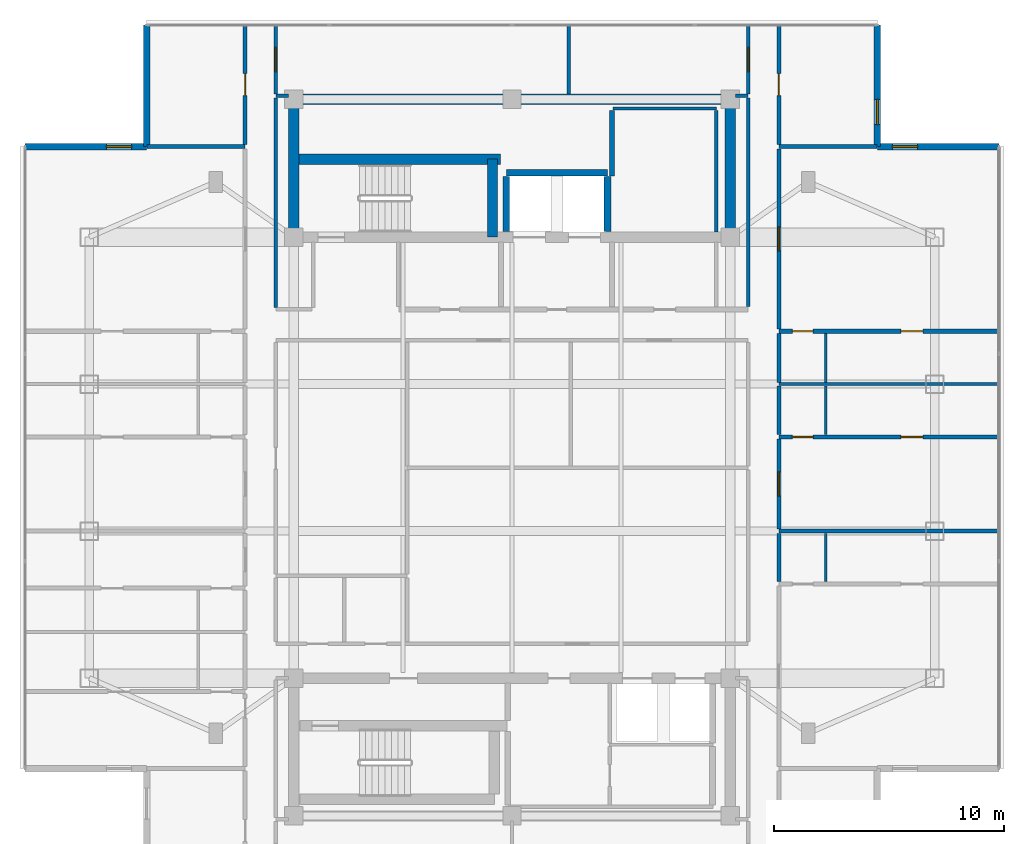
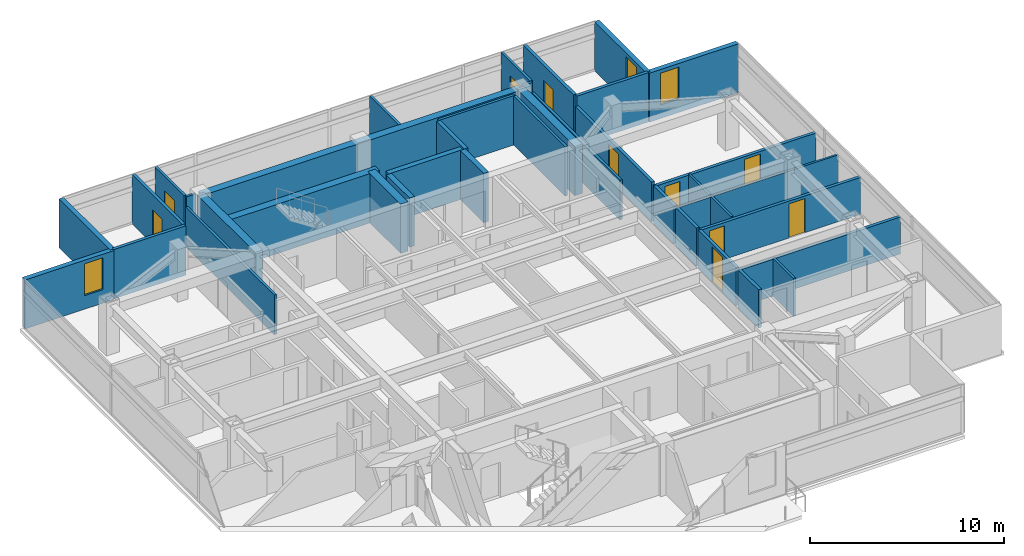
# One storey, part 10 of 14: 38 walls, 10 doors, 3 windows, 13 openings.
"""IFC4 building model written with IfcOpenShell, lengths in metres."""

from ifc_helpers import new_model, si_unit, direction, frame, frame_2d, origin, place, context, subcontext, project, spatial, rectangle, extrude, material, layer, layer_set, type_object, element, fill, save


model = new_model("IFC4")

# Units and contexts
model_context = context("Model", 3, precision=1e-05, world=origin(), true_north=direction((0.0, 1.0)))
body_context = subcontext(model_context, "Body", "Model", "MODEL_VIEW")
ifc_project = project(units=[si_unit("LENGTHUNIT", "METRE"), si_unit("AREAUNIT", "SQUARE_METRE"), si_unit("VOLUMEUNIT", "CUBIC_METRE"), si_unit("PLANEANGLEUNIT", "RADIAN"), si_unit("MASSUNIT", "GRAM", prefix="KILO")], contexts=[model_context])

# Site, building, storey
site_placement = place(None, origin())
site = spatial("IfcSite", under=ifc_project, at=site_placement, CompositionType="ELEMENT")
building_placement = place(site_placement, origin())
building = spatial("IfcBuilding", under=site, at=building_placement, Name="Mirazonda Arch Towers", CompositionType="ELEMENT")
storey_placement = place(building_placement, frame((0.0, 0.0, 232.60009765625)))
storey = spatial("IfcBuildingStorey", under=building, at=storey_placement, Name="L66", CompositionType="ELEMENT", Elevation=232.60009765625)

# Walls
ifc_material_1 = material(Name="Concrete C50/60", Category="concrete")
ifc_layer_1 = layer(ifc_material_1, 0.449951171875, Name="WALL-CORE-450")
ifc_layer_set_1 = layer_set([ifc_layer_1], Name="Concrete C50/60")
wall_type_1 = type_object("IfcWallType", Name="WALL-CORE-450", PredefinedType="SHEAR", material=ifc_layer_set_1)
wall_1_placement = place(storey_placement, frame((11.0, 43.60009765625, 0.0), z_axis=(0.0, 0.0, 1.0), x_axis=(1.0, 0.0, 0.0)))
element("IfcWall", 1, at=wall_1_placement, inside=storey, type_object=wall_type_1, Name="L66 T1N-N Core Shear Wall", PredefinedType="SHEAR", context=body_context, shape_type="SweptSolid", body=[
    extrude(rectangle(XDim=19.0, YDim=0.449951171875, at=frame_2d((9.5, 0.0))), origin(), (0.0, 0.0, 1.0), 3.099853515625),
])
for number, where, z_axis, x_axis, name in (
    (2, (11.0, 37.60009765625, 0.0), (0.0, 0.0, 1.0), (0.0, 1.0, 0.0), "L66 T1N-W Core Shear Wall"),
    (3, (30.0, 37.60009765625, 0.0), (0.0, 0.0, 1.0), (0.0, 1.0, 0.0), "L66 T1N-E Core Shear Wall"),
):
    element("IfcWall", number, at=place(storey_placement, frame(where, z_axis=z_axis, x_axis=x_axis)), inside=storey, type_object=wall_type_1, Name=name, PredefinedType="SHEAR", context=body_context, shape_type="SweptSolid", body=[
        extrude(rectangle(XDim=6.0, YDim=0.449951171875, at=frame_2d((3.0, 0.0))), origin(), (0.0, 0.0, 1.0), 3.099853515625),
    ])
wall_2_placement = place(storey_placement, frame((11.0, 40.992919921875, 0.0), z_axis=(0.0, 0.0, 1.0), x_axis=(1.0, 0.0, 0.0)))
element("IfcWall", 4, at=wall_2_placement, inside=storey, type_object=wall_type_1, Name="L66 T1N-STN Core Shear Wall", PredefinedType="SHEAR", context=body_context, shape_type="SweptSolid", body=[
    extrude(rectangle(XDim=9.0, YDim=0.449951171875, at=frame_2d((4.5, 0.0))), origin(), (0.0, 0.0, 1.0), 3.099853515625),
])
wall_3_placement = place(storey_placement, frame((19.64990234375, 37.60009765625, 0.0), z_axis=(0.0, 0.0, 1.0), x_axis=(0.0, 1.0, 0.0)))
element("IfcWall", 5, at=wall_3_placement, inside=storey, type_object=wall_type_1, Name="L66 T1N-STE Core Shear Wall", PredefinedType="SHEAR", context=body_context, shape_type="SweptSolid", body=[
    extrude(rectangle(XDim=3.392822265625, YDim=0.449951171875, at=frame_2d((1.6962890625, 0.0))), origin(), (0.0, 0.0, 1.0), 3.099853515625),
])

# Wall, opening, window
ifc_material_2 = material(Name="Precast Concrete C40/50", Category="concrete")
ifc_layer_2 = layer(ifc_material_2, 0.280029296875, Name="WALL-EXT-WALL-280")
ifc_layer_set_2 = layer_set([ifc_layer_2], Name="Precast Concrete C40/50")
wall_type_2 = type_object("IfcWallType", Name="WALL-EXT-WALL-280", PredefinedType="SOLIDWALL", material=ifc_layer_set_2)
wall_4_placement = place(storey_placement, frame((36.409912109375, 41.5419921875, 0.0), z_axis=(0.0, 0.0, 1.0), x_axis=(0.0, 1.0, 0.0)))
wall_4 = element("IfcWall", 6, at=wall_4_placement, inside=storey, type_object=wall_type_2, Name="L66 T1 Notched NE Corner Wall WL-L66-T1-CNE", PredefinedType="SOLIDWALL", context=body_context, shape_type="SweptSolid", body=[
    extrude(rectangle(XDim=5.2900390625, YDim=0.280029296875, at=frame_2d((2.64501953125, 0.0))), origin(), (0.0, 0.0, 1.0), 3.079833984375),
])
opening_1_placement = place(wall_4_placement, frame((0.949951171875, 0.0, 0.85009765625)))
opening_1 = element("IfcOpeningElement", 7, at=opening_1_placement, cuts=wall_4, Name="Opening WN-108", PredefinedType="OPENING", context=body_context, shape_type="SweptSolid", body=[
    extrude(rectangle(XDim=1.10009765625, YDim=2.0, at=frame_2d((0.550048828125, 1.0))), frame((0.0, 0.14990234375, 0.0), z_axis=(0.0, -1.0, 0.0), x_axis=(1.0, 0.0, 0.0)), (0.0, 0.0, 1.0), 0.300048828125),
])
ifc_material_3 = material(Name="Insulated Low-E Solar Glass", Category="glass")
window_type = type_object("IfcWindowType", Name="WIN-NOTCH-1100x2000", PartitioningType="SINGLE_PANEL", PredefinedType="WINDOW", material=ifc_material_3)
window_1_placement = place(opening_1_placement, origin())
window_1 = element("IfcWindow", 8, at=window_1_placement, inside=storey, type_object=window_type, Name="L66 Punched Facade Window WN-L66-T1-CNE", OverallHeight=2.0, OverallWidth=1.10009765625, PartitioningType="SINGLE_PANEL", PredefinedType="WINDOW", context=body_context, shape_type="SweptSolid", body=[
    extrude(rectangle(XDim=1.10009765625, YDim=2.0, at=frame_2d((0.550048828125, 1.0))), frame((0.0, 0.030029296875, 0.0), z_axis=(0.0, -1.0, 0.0), x_axis=(1.0, 0.0, 0.0)), (0.0, 0.0, 1.0), 0.06005859375),
])
fill(opening_1, window_1)

wall_5_placement = place(storey_placement, frame((4.590087890625, 41.5419921875, 0.0), z_axis=(0.0, 0.0, 1.0), x_axis=(-1.0, 0.0, 0.0)))
wall_5 = element("IfcWall", 9, at=wall_5_placement, inside=storey, type_object=wall_type_2, Name="L66 T1 Corner Notch Return Wall WL-L66-T1-CNW1", PredefinedType="SOLIDWALL", context=body_context, shape_type="SweptSolid", body=[
    extrude(rectangle(XDim=5.2900390625, YDim=0.280029296875, at=frame_2d((2.64501953125, 0.0))), origin(), (0.0, 0.0, 1.0), 3.079833984375),
])
opening_2_placement = place(wall_5_placement, frame((0.64990234375, 0.0, 0.85009765625)))
opening_2 = element("IfcOpeningElement", 10, at=opening_2_placement, cuts=wall_5, Name="Opening WN-108", PredefinedType="OPENING", context=body_context, shape_type="SweptSolid", body=[
    extrude(rectangle(XDim=1.10009765625, YDim=2.0, at=frame_2d((0.550048828125, 1.0))), frame((0.0, 0.14990234375, 0.0), z_axis=(0.0, -1.0, 0.0), x_axis=(1.0, 0.0, 0.0)), (0.0, 0.0, 1.0), 0.300048828125),
])
window_2_placement = place(opening_2_placement, origin())
window_2 = element("IfcWindow", 11, at=window_2_placement, inside=storey, type_object=window_type, Name="L66 Punched Facade Window WN-L66-T1-CNW1", OverallHeight=2.0, OverallWidth=1.10009765625, PartitioningType="SINGLE_PANEL", PredefinedType="WINDOW", context=body_context, shape_type="SweptSolid", body=[
    extrude(rectangle(XDim=1.10009765625, YDim=2.0, at=frame_2d((0.550048828125, 1.0))), frame((0.0, 0.030029296875, 0.0), z_axis=(0.0, -1.0, 0.0), x_axis=(1.0, 0.0, 0.0)), (0.0, 0.0, 1.0), 0.06005859375),
])
fill(opening_2, window_2)

# Wall
wall_6_placement = place(storey_placement, frame((4.590087890625, 46.83203125, 0.0), z_axis=(0.0, 0.0, 1.0), x_axis=(0.0, -1.0, 0.0)))
element("IfcWall", 12, at=wall_6_placement, inside=storey, type_object=wall_type_2, Name="L66 T1 Corner Notch Return Wall WL-L66-T1-CNW2", PredefinedType="SOLIDWALL", context=body_context, shape_type="SweptSolid", body=[
    extrude(rectangle(XDim=5.2900390625, YDim=0.280029296875, at=frame_2d((2.64501953125, 0.0))), origin(), (0.0, 0.0, 1.0), 3.079833984375),
])

# Wall, opening, window
wall_7_placement = place(storey_placement, frame((41.699951171875, 41.5419921875, 0.0), z_axis=(0.0, 0.0, 1.0), x_axis=(-1.0, 0.0, 0.0)))
wall_7 = element("IfcWall", 13, at=wall_7_placement, inside=storey, type_object=wall_type_2, Name="L66 T1 Corner Notch Return Wall WL-L66-T1-CNE2", PredefinedType="SOLIDWALL", context=body_context, shape_type="SweptSolid", body=[
    extrude(rectangle(XDim=5.2900390625, YDim=0.280029296875, at=frame_2d((2.64501953125, 0.0))), origin(), (0.0, 0.0, 1.0), 3.079833984375),
])
opening_3_placement = place(wall_7_placement, frame((3.5400390625, 0.0, 0.85009765625)))
opening_3 = element("IfcOpeningElement", 14, at=opening_3_placement, cuts=wall_7, Name="Opening WN-108", PredefinedType="OPENING", context=body_context, shape_type="SweptSolid", body=[
    extrude(rectangle(XDim=1.10009765625, YDim=2.0, at=frame_2d((0.550048828125, 1.0))), frame((0.0, 0.14990234375, 0.0), z_axis=(0.0, -1.0, 0.0), x_axis=(1.0, 0.0, 0.0)), (0.0, 0.0, 1.0), 0.300048828125),
])
window_3_placement = place(opening_3_placement, origin())
window_3 = element("IfcWindow", 15, at=window_3_placement, inside=storey, type_object=window_type, Name="L66 Punched Facade Window WN-L66-T1-CNE2", OverallHeight=2.0, OverallWidth=1.10009765625, PartitioningType="SINGLE_PANEL", PredefinedType="WINDOW", context=body_context, shape_type="SweptSolid", body=[
    extrude(rectangle(XDim=1.10009765625, YDim=2.0, at=frame_2d((0.550048828125, 1.0))), frame((0.0, 0.030029296875, 0.0), z_axis=(0.0, -1.0, 0.0), x_axis=(1.0, 0.0, 0.0)), (0.0, 0.0, 1.0), 0.06005859375),
])
fill(opening_3, window_3)

# Walls
ifc_material_4 = material(Name="Concrete C40/50", Category="concrete")
ifc_layer_3 = layer(ifc_material_4, 0.219970703125, Name="WALL-FFL-220")
ifc_layer_set_3 = layer_set([ifc_layer_3], Name="Concrete C40/50")
wall_type_3 = type_object("IfcWallType", Name="WALL-FFL-220", PredefinedType="SOLIDWALL", material=ifc_layer_set_3)
wall_8_placement = place(storey_placement, frame((24.85009765625, 40.260009765625, 0.0), z_axis=(0.0, 0.0, 1.0), x_axis=(0.0, 1.0, 0.0)))
element("IfcWall", 16, at=wall_8_placement, inside=storey, type_object=wall_type_3, Name="L66 Interior Partition 073", PredefinedType="SOLIDWALL", context=body_context, shape_type="SweptSolid", body=[
    extrude(rectangle(XDim=2.85498046875, YDim=0.219970703125, at=frame_2d((1.427490234375, 0.0))), origin(), (0.0, 0.0, 1.0), 3.099853515625),
])
ifc_material_5 = material(Name="Fire-Rated Gypsum Stud Partition")
ifc_layer_4 = layer(ifc_material_5, 0.14990234375, Name="WALL-PART-CORR-150")
ifc_layer_set_4 = layer_set([ifc_layer_4], Name="Fire-Rated Gypsum Stud Partition")
wall_type_4 = type_object("IfcWallType", Name="WALL-PART-CORR-150", PredefinedType="PARTITIONING", material=ifc_layer_set_4)
wall_9_placement = place(storey_placement, frame((24.89990234375, 43.199951171875, 0.0), z_axis=(0.0, 0.0, 1.0), x_axis=(1.0, 0.0, 0.0)))
element("IfcWall", 17, at=wall_9_placement, inside=storey, type_object=wall_type_4, Name="L66 Interior Partition 032", PredefinedType="PARTITIONING", context=body_context, shape_type="SweptSolid", body=[
    extrude(rectangle(XDim=4.5, YDim=0.14990234375, at=frame_2d((2.25, 0.0))), origin(), (0.0, 0.0, 1.0), 3.099853515625),
])
for number, where, z_axis, x_axis, name in (
    (18, (10.219970703125, 43.75, 0.0), (0.0, 0.0, 1.0), (1.0, 0.0, 0.0), "L66 Interior Partition 033"),
    (19, (30.219970703125, 43.75, 0.0), (0.0, 0.0, 1.0), (1.0, 0.0, 0.0), "L66 Interior Partition 034"),
):
    element("IfcWall", number, at=place(storey_placement, frame(where, z_axis=z_axis, x_axis=x_axis)), inside=storey, type_object=wall_type_4, Name=name, PredefinedType="PARTITIONING", context=body_context, shape_type="SweptSolid", body=[
        extrude(rectangle(XDim=0.56005859375, YDim=0.14990234375, at=frame_2d((0.280029296875, 0.0))), origin(), (0.0, 0.0, 1.0), 3.099853515625),
    ])
wall_10_placement = place(storey_placement, frame((10.219970703125, 34.534912109375, 0.0), z_axis=(0.0, 0.0, 1.0), x_axis=(0.0, 1.0, 0.0)))
element("IfcWall", 20, at=wall_10_placement, inside=storey, type_object=wall_type_4, Name="L66 Interior Partition 053", PredefinedType="PARTITIONING", context=body_context, shape_type="SweptSolid", body=[
    extrude(rectangle(XDim=9.130126953125, YDim=0.14990234375, at=frame_2d((4.56494140625, 0.0))), origin(), (0.0, 0.0, 1.0), 2.491943359375),
])

# Wall, opening, door
wall_11_placement = place(storey_placement, frame((10.219970703125, 43.8349609375, 0.0), z_axis=(0.0, 0.0, 1.0), x_axis=(0.0, 1.0, 0.0)))
wall_11 = element("IfcWall", 21, at=wall_11_placement, inside=storey, type_object=wall_type_4, Name="L66 Interior Partition 054", PredefinedType="PARTITIONING", context=body_context, shape_type="SweptSolid", body=[
    extrude(rectangle(XDim=2.9970703125, YDim=0.14990234375, at=frame_2d((1.49853515625, 0.0))), origin(), (0.0, 0.0, 1.0), 3.099853515625),
])
opening_4_placement = place(wall_11_placement, frame((0.973388671875, 0.0, 0.0)))
opening_4 = element("IfcOpeningElement", 22, at=opening_4_placement, cuts=wall_11, Name="Opening DR-121", PredefinedType="OPENING", context=body_context, shape_type="SweptSolid", body=[
    extrude(rectangle(XDim=1.050048828125, YDim=2.199951171875, at=frame_2d((0.52490234375, 1.10009765625))), frame((0.0, 0.0849609375, 0.0), z_axis=(0.0, -1.0, 0.0), x_axis=(1.0, 0.0, 0.0)), (0.0, 0.0, 1.0), 0.169921875),
])
ifc_material_6 = material(Name="Architectural Brushed Steel S355", Category="steel")
door_type_1 = type_object("IfcDoorType", Name="DOOR-SUITE-FD60-1050", OperationType="NOTDEFINED", PredefinedType="DOOR", material=ifc_material_6)
door_1_placement = place(opening_4_placement, origin())
door_1 = element("IfcDoor", 23, at=door_1_placement, inside=storey, type_object=door_type_1, Name="L66 North Reading Salon West Door", OperationType="SINGLE_SWING_LEFT", OverallHeight=2.199951171875, OverallWidth=1.050048828125, PredefinedType="DOOR", context=body_context, shape_type="SweptSolid", body=[
    extrude(rectangle(XDim=1.050048828125, YDim=2.199951171875, at=frame_2d((0.52490234375, 1.10009765625))), frame((0.0, 0.02490234375, 0.0), z_axis=(0.0, -1.0, 0.0), x_axis=(1.0, 0.0, 0.0)), (0.0, 0.0, 1.0), 0.050048828125),
])
fill(opening_4, door_1)

# Walls
wall_12_placement = place(storey_placement, frame((22.967041015625, 43.820068359375, 0.0), z_axis=(0.0, 0.0, 1.0), x_axis=(0.0, 1.0, 0.0)))
element("IfcWall", 24, at=wall_12_placement, inside=storey, type_object=wall_type_4, Name="L66 Interior Partition 067", PredefinedType="PARTITIONING", context=body_context, shape_type="SweptSolid", body=[
    extrude(rectangle(XDim=3.011962890625, YDim=0.14990234375, at=frame_2d((1.505859375, 0.0))), origin(), (0.0, 0.0, 1.0), 3.099853515625),
])
wall_13_placement = place(storey_placement, frame((29.39990234375, 37.820068359375, 0.0), z_axis=(0.0, 0.0, 1.0), x_axis=(0.0, 1.0, 0.0)))
element("IfcWall", 25, at=wall_13_placement, inside=storey, type_object=wall_type_4, Name="L66 Interior Partition 077", PredefinedType="PARTITIONING", context=body_context, shape_type="SweptSolid", body=[
    extrude(rectangle(XDim=5.294921875, YDim=0.14990234375, at=frame_2d((2.6474609375, 0.0))), origin(), (0.0, 0.0, 1.0), 3.099853515625),
])
wall_14_placement = place(storey_placement, frame((30.780029296875, 34.570068359375, 0.0), z_axis=(0.0, 0.0, 1.0), x_axis=(0.0, 1.0, 0.0)))
element("IfcWall", 26, at=wall_14_placement, inside=storey, type_object=wall_type_4, Name="L66 Interior Partition 082", PredefinedType="PARTITIONING", context=body_context, shape_type="SweptSolid", body=[
    extrude(rectangle(XDim=9.094970703125, YDim=0.14990234375, at=frame_2d((4.54736328125, 0.0))), origin(), (0.0, 0.0, 1.0), 2.491943359375),
])

# Wall, opening, door
wall_15_placement = place(storey_placement, frame((30.780029296875, 43.8349609375, 0.0), z_axis=(0.0, 0.0, 1.0), x_axis=(0.0, 1.0, 0.0)))
wall_15 = element("IfcWall", 27, at=wall_15_placement, inside=storey, type_object=wall_type_4, Name="L66 Interior Partition 083", PredefinedType="PARTITIONING", context=body_context, shape_type="SweptSolid", body=[
    extrude(rectangle(XDim=2.9970703125, YDim=0.14990234375, at=frame_2d((1.49853515625, 0.0))), origin(), (0.0, 0.0, 1.0), 3.099853515625),
])
opening_5_placement = place(wall_15_placement, frame((0.973388671875, 0.0, 0.0)))
opening_5 = element("IfcOpeningElement", 28, at=opening_5_placement, cuts=wall_15, Name="Opening DR-121", PredefinedType="OPENING", context=body_context, shape_type="SweptSolid", body=[
    extrude(rectangle(XDim=1.050048828125, YDim=2.199951171875, at=frame_2d((0.52490234375, 1.10009765625))), frame((0.0, 0.0849609375, 0.0), z_axis=(0.0, -1.0, 0.0), x_axis=(1.0, 0.0, 0.0)), (0.0, 0.0, 1.0), 0.169921875),
])
door_2_placement = place(opening_5_placement, origin())
door_2 = element("IfcDoor", 29, at=door_2_placement, inside=storey, type_object=door_type_1, Name="L66 North Reading Salon East Door", OperationType="SINGLE_SWING_RIGHT", OverallHeight=2.199951171875, OverallWidth=1.050048828125, PredefinedType="DOOR", context=body_context, shape_type="SweptSolid", body=[
    extrude(rectangle(XDim=1.050048828125, YDim=2.199951171875, at=frame_2d((0.52490234375, 1.10009765625))), frame((0.0, 0.02490234375, 0.0), z_axis=(0.0, -1.0, 0.0), x_axis=(1.0, 0.0, 0.0)), (0.0, 0.0, 1.0), 0.050048828125),
])
fill(opening_5, door_2)

# Wall
ifc_material_7 = material(Name="Fire-Rated Gypsum Twin-Stud Assembly")
ifc_layer_5 = layer(ifc_material_7, 0.179931640625, Name="WALL-PART-DEMISE-180")
ifc_layer_set_5 = layer_set([ifc_layer_5], Name="Fire-Rated Gypsum Twin-Stud Assembly")
wall_type_5 = type_object("IfcWallType", Name="WALL-PART-DEMISE-180", PredefinedType="PARTITIONING", material=ifc_layer_set_5)
wall_16_placement = place(storey_placement, frame((32.1201171875, 24.800048828125, 0.0), z_axis=(0.0, 0.0, 1.0), x_axis=(1.0, 0.0, 0.0)))
element("IfcWall", 30, at=wall_16_placement, inside=storey, type_object=wall_type_5, Name="L66 Interior Partition 018", PredefinedType="PARTITIONING", context=body_context, shape_type="SweptSolid", body=[
    extrude(rectangle(XDim=9.579833984375, YDim=0.179931640625, at=frame_2d((4.7900390625, 0.0))), origin(), (0.0, 0.0, 1.0), 2.31884765625),
])

# Wall, openings, doors
wall_17_placement = place(storey_placement, frame((32.1201171875, 28.89990234375, 0.0), z_axis=(0.0, 0.0, 1.0), x_axis=(1.0, 0.0, 0.0)))
wall_17 = element("IfcWall", 31, at=wall_17_placement, inside=storey, type_object=wall_type_5, Name="L66 Interior Partition 021", PredefinedType="PARTITIONING", context=body_context, shape_type="SweptSolid", body=[
    extrude(rectangle(XDim=9.579833984375, YDim=0.179931640625, at=frame_2d((4.7900390625, 0.0))), origin(), (0.0, 0.0, 1.0), 2.31884765625),
])
opening_6_placement = place(wall_17_placement, frame((5.31494140625, 0.0, 0.0)))
opening_6 = element("IfcOpeningElement", 32, at=opening_6_placement, cuts=wall_17, Name="Opening DR-104", PredefinedType="OPENING", context=body_context, shape_type="SweptSolid", body=[
    extrude(rectangle(XDim=0.949951171875, YDim=2.14990234375, at=frame_2d((0.47509765625, 1.074951171875))), frame((0.0, 0.099853515625, 0.0), z_axis=(0.0, -1.0, 0.0), x_axis=(1.0, 0.0, 0.0)), (0.0, 0.0, 1.0), 0.199951171875),
])
opening_7_placement = place(wall_17_placement, frame((0.590087890625, 0.0, 0.0)))
opening_7 = element("IfcOpeningElement", 33, at=opening_7_placement, cuts=wall_17, Name="Opening DR-120", PredefinedType="OPENING", context=body_context, shape_type="SweptSolid", body=[
    extrude(rectangle(XDim=0.89990234375, YDim=2.10009765625, at=frame_2d((0.449951171875, 1.050048828125))), frame((0.0, 0.099853515625, 0.0), z_axis=(0.0, -1.0, 0.0), x_axis=(1.0, 0.0, 0.0)), (0.0, 0.0, 1.0), 0.199951171875),
])
door_type_2 = type_object("IfcDoorType", Name="DOOR-ROOM-950", OperationType="NOTDEFINED", PredefinedType="DOOR", material=ifc_material_6)
door_3_placement = place(opening_6_placement, origin())
door_3 = element("IfcDoor", 34, at=door_3_placement, inside=storey, type_object=door_type_2, Name="L66 Suite Bedroom 2 Door", OperationType="SINGLE_SWING_LEFT", OverallHeight=2.14990234375, OverallWidth=0.949951171875, PredefinedType="DOOR", context=body_context, shape_type="SweptSolid", body=[
    extrude(rectangle(XDim=0.949951171875, YDim=2.14990234375, at=frame_2d((0.47509765625, 1.074951171875))), frame((0.0, 0.02490234375, 0.0), z_axis=(0.0, -1.0, 0.0), x_axis=(1.0, 0.0, 0.0)), (0.0, 0.0, 1.0), 0.050048828125),
])
fill(opening_6, door_3)
door_type_3 = type_object("IfcDoorType", Name="DOOR-WC-900", OperationType="NOTDEFINED", PredefinedType="DOOR", material=ifc_material_6)
door_4_placement = place(opening_7_placement, origin())
door_4 = element("IfcDoor", 35, at=door_4_placement, inside=storey, type_object=door_type_3, Name="L66 Suite En-Suite Bathroom 2 Door", OperationType="SINGLE_SWING_RIGHT", OverallHeight=2.10009765625, OverallWidth=0.89990234375, PredefinedType="DOOR", context=body_context, shape_type="SweptSolid", body=[
    extrude(rectangle(XDim=0.89990234375, YDim=2.10009765625, at=frame_2d((0.449951171875, 1.050048828125))), frame((0.0, 0.02490234375, 0.0), z_axis=(0.0, -1.0, 0.0), x_axis=(1.0, 0.0, 0.0)), (0.0, 0.0, 1.0), 0.050048828125),
])
fill(opening_7, door_4)

wall_18_placement = place(storey_placement, frame((32.1201171875, 33.5, 0.0), z_axis=(0.0, 0.0, 1.0), x_axis=(1.0, 0.0, 0.0)))
wall_18 = element("IfcWall", 36, at=wall_18_placement, inside=storey, type_object=wall_type_5, Name="L66 Interior Partition 026", PredefinedType="PARTITIONING", context=body_context, shape_type="SweptSolid", body=[
    extrude(rectangle(XDim=9.579833984375, YDim=0.179931640625, at=frame_2d((4.7900390625, 0.0))), origin(), (0.0, 0.0, 1.0), 2.31884765625),
])
opening_8_placement = place(wall_18_placement, frame((5.31494140625, 0.0, 0.0)))
opening_8 = element("IfcOpeningElement", 37, at=opening_8_placement, cuts=wall_18, Name="Opening DR-104", PredefinedType="OPENING", context=body_context, shape_type="SweptSolid", body=[
    extrude(rectangle(XDim=0.949951171875, YDim=2.14990234375, at=frame_2d((0.47509765625, 1.074951171875))), frame((0.0, 0.099853515625, 0.0), z_axis=(0.0, -1.0, 0.0), x_axis=(1.0, 0.0, 0.0)), (0.0, 0.0, 1.0), 0.199951171875),
])
opening_9_placement = place(wall_18_placement, frame((0.590087890625, 0.0, 0.0)))
opening_9 = element("IfcOpeningElement", 38, at=opening_9_placement, cuts=wall_18, Name="Opening DR-120", PredefinedType="OPENING", context=body_context, shape_type="SweptSolid", body=[
    extrude(rectangle(XDim=0.89990234375, YDim=2.10009765625, at=frame_2d((0.449951171875, 1.050048828125))), frame((0.0, 0.099853515625, 0.0), z_axis=(0.0, -1.0, 0.0), x_axis=(1.0, 0.0, 0.0)), (0.0, 0.0, 1.0), 0.199951171875),
])
door_5_placement = place(opening_8_placement, origin())
door_5 = element("IfcDoor", 39, at=door_5_placement, inside=storey, type_object=door_type_2, Name="L66 Suite Bedroom 3 Door", OperationType="SINGLE_SWING_RIGHT", OverallHeight=2.14990234375, OverallWidth=0.949951171875, PredefinedType="DOOR", context=body_context, shape_type="SweptSolid", body=[
    extrude(rectangle(XDim=0.949951171875, YDim=2.14990234375, at=frame_2d((0.47509765625, 1.074951171875))), frame((0.0, 0.02490234375, 0.0), z_axis=(0.0, -1.0, 0.0), x_axis=(1.0, 0.0, 0.0)), (0.0, 0.0, 1.0), 0.050048828125),
])
fill(opening_8, door_5)
door_6_placement = place(opening_9_placement, origin())
door_6 = element("IfcDoor", 40, at=door_6_placement, inside=storey, type_object=door_type_3, Name="L66 Suite En-Suite Bathroom 3 Door", OperationType="SINGLE_SWING_LEFT", OverallHeight=2.10009765625, OverallWidth=0.89990234375, PredefinedType="DOOR", context=body_context, shape_type="SweptSolid", body=[
    extrude(rectangle(XDim=0.89990234375, YDim=2.10009765625, at=frame_2d((0.449951171875, 1.050048828125))), frame((0.0, 0.02490234375, 0.0), z_axis=(0.0, -1.0, 0.0), x_axis=(1.0, 0.0, 0.0)), (0.0, 0.0, 1.0), 0.050048828125),
])
fill(opening_9, door_6)

# Walls
for number, where, z_axis, x_axis, name in (
    (41, (4.610107421875, 41.5419921875, 0.0), (0.0, 0.0, 1.0), (1.0, 0.0, 0.0), "L66 Interior Partition 030"),
    (42, (32.1201171875, 41.5419921875, 0.0), (0.0, 0.0, 1.0), (1.0, 0.0, 0.0), "L66 Interior Partition 031"),
):
    element("IfcWall", number, at=place(storey_placement, frame(where, z_axis=z_axis, x_axis=x_axis)), inside=storey, type_object=wall_type_5, Name=name, PredefinedType="PARTITIONING", context=body_context, shape_type="SweptSolid", body=[
        extrude(rectangle(XDim=4.269775390625, YDim=0.179931640625, at=frame_2d((2.134765625, 0.0))), origin(), (0.0, 0.0, 1.0), 3.099853515625),
    ])

# Wall, opening, door
wall_19_placement = place(storey_placement, frame((8.8798828125, 41.64208984375, 0.0), z_axis=(0.0, 0.0, 1.0), x_axis=(0.0, 1.0, 0.0)))
wall_19 = element("IfcWall", 43, at=wall_19_placement, inside=storey, type_object=wall_type_5, Name="L66 Interior Partition 048", PredefinedType="PARTITIONING", context=body_context, shape_type="SweptSolid", body=[
    extrude(rectangle(XDim=5.18994140625, YDim=0.179931640625, at=frame_2d((2.594970703125, 0.0))), origin(), (0.0, 0.0, 1.0), 3.099853515625),
])
opening_10_placement = place(wall_19_placement, frame((2.1201171875, 0.0, 0.0)))
opening_10 = element("IfcOpeningElement", 44, at=opening_10_placement, cuts=wall_19, Name="Opening DR-104", PredefinedType="OPENING", context=body_context, shape_type="SweptSolid", body=[
    extrude(rectangle(XDim=0.949951171875, YDim=2.14990234375, at=frame_2d((0.47509765625, 1.074951171875))), frame((0.0, 0.099853515625, 0.0), z_axis=(0.0, -1.0, 0.0), x_axis=(1.0, 0.0, 0.0)), (0.0, 0.0, 1.0), 0.199951171875),
])
door_7_placement = place(opening_10_placement, origin())
door_7 = element("IfcDoor", 45, at=door_7_placement, inside=storey, type_object=door_type_2, Name="L66 North Reading Salon Alcove West Door", OperationType="SINGLE_SWING_LEFT", OverallHeight=2.14990234375, OverallWidth=0.949951171875, PredefinedType="DOOR", context=body_context, shape_type="SweptSolid", body=[
    extrude(rectangle(XDim=0.949951171875, YDim=2.14990234375, at=frame_2d((0.47509765625, 1.074951171875))), frame((0.0, 0.02490234375, 0.0), z_axis=(0.0, -1.0, 0.0), x_axis=(1.0, 0.0, 0.0)), (0.0, 0.0, 1.0), 0.050048828125),
])
fill(opening_10, door_7)

# Wall
wall_20_placement = place(storey_placement, frame((32.1201171875, 22.60009765625, 0.0), z_axis=(0.0, 0.0, 1.0), x_axis=(0.0, 1.0, 0.0)))
element("IfcWall", 46, at=wall_20_placement, inside=storey, type_object=wall_type_5, Name="L66 Interior Partition 086", PredefinedType="PARTITIONING", context=body_context, shape_type="SweptSolid", body=[
    extrude(rectangle(XDim=2.099853515625, YDim=0.179931640625, at=frame_2d((1.0498046875, 0.0))), origin(), (0.0, 0.0, 1.0), 2.39599609375),
])

# Wall, opening, door
wall_21_placement = place(storey_placement, frame((32.1201171875, 24.89990234375, 0.0), z_axis=(0.0, 0.0, 1.0), x_axis=(0.0, 1.0, 0.0)))
wall_21 = element("IfcWall", 47, at=wall_21_placement, inside=storey, type_object=wall_type_5, Name="L66 Interior Partition 087", PredefinedType="PARTITIONING", context=body_context, shape_type="SweptSolid", body=[
    extrude(rectangle(XDim=3.900146484375, YDim=0.179931640625, at=frame_2d((1.9501953125, 0.0))), origin(), (0.0, 0.0, 1.0), 2.39599609375),
])
opening_11_placement = place(wall_21_placement, frame((1.425048828125, 0.0, 0.0)))
opening_11 = element("IfcOpeningElement", 48, at=opening_11_placement, cuts=wall_21, Name="Opening DR-121", PredefinedType="OPENING", context=body_context, shape_type="SweptSolid", body=[
    extrude(rectangle(XDim=1.050048828125, YDim=2.199951171875, at=frame_2d((0.52490234375, 1.10009765625))), frame((0.0, 0.099853515625, 0.0), z_axis=(0.0, -1.0, 0.0), x_axis=(1.0, 0.0, 0.0)), (0.0, 0.0, 1.0), 0.199951171875),
])
door_8_placement = place(opening_11_placement, origin())
door_8 = element("IfcDoor", 49, at=door_8_placement, inside=storey, type_object=door_type_1, Name="L66 Deluxe Suite Living Room 2 Door", OperationType="SINGLE_SWING_RIGHT", OverallHeight=2.199951171875, OverallWidth=1.050048828125, PredefinedType="DOOR", context=body_context, shape_type="SweptSolid", body=[
    extrude(rectangle(XDim=1.050048828125, YDim=2.199951171875, at=frame_2d((0.52490234375, 1.10009765625))), frame((0.0, 0.02490234375, 0.0), z_axis=(0.0, -1.0, 0.0), x_axis=(1.0, 0.0, 0.0)), (0.0, 0.0, 1.0), 0.050048828125),
])
fill(opening_11, door_8)

# Walls
for number, where, z_axis, x_axis, name in (
    (50, (32.1201171875, 29.0, 0.0), (0.0, 0.0, 1.0), (0.0, 1.0, 0.0), "L66 Interior Partition 088"),
    (51, (32.1201171875, 31.2724609375, 0.0), (0.0, 0.0, 1.0), (0.0, 1.0, 0.0), "L66 Interior Partition 089"),
):
    element("IfcWall", number, at=place(storey_placement, frame(where, z_axis=z_axis, x_axis=x_axis)), inside=storey, type_object=wall_type_5, Name=name, PredefinedType="PARTITIONING", context=body_context, shape_type="SweptSolid", body=[
        extrude(rectangle(XDim=2.12744140625, YDim=0.179931640625, at=frame_2d((1.063720703125, 0.0))), origin(), (0.0, 0.0, 1.0), 2.39599609375),
    ])

# Wall, opening, door
wall_22_placement = place(storey_placement, frame((32.1201171875, 33.60009765625, 0.0), z_axis=(0.0, 0.0, 1.0), x_axis=(0.0, 1.0, 0.0)))
wall_22 = element("IfcWall", 52, at=wall_22_placement, inside=storey, type_object=wall_type_5, Name="L66 Interior Partition 090", PredefinedType="PARTITIONING", context=body_context, shape_type="SweptSolid", body=[
    extrude(rectangle(XDim=7.841796875, YDim=0.179931640625, at=frame_2d((3.9208984375, 0.0))), origin(), (0.0, 0.0, 1.0), 2.491943359375),
])
opening_12_placement = place(wall_22_placement, frame((3.39599609375, 0.0, 0.0)))
opening_12 = element("IfcOpeningElement", 53, at=opening_12_placement, cuts=wall_22, Name="Opening DR-121", PredefinedType="OPENING", context=body_context, shape_type="SweptSolid", body=[
    extrude(rectangle(XDim=1.050048828125, YDim=2.199951171875, at=frame_2d((0.52490234375, 1.10009765625))), frame((0.0, 0.099853515625, 0.0), z_axis=(0.0, -1.0, 0.0), x_axis=(1.0, 0.0, 0.0)), (0.0, 0.0, 1.0), 0.199951171875),
])
door_9_placement = place(opening_12_placement, origin())
door_9 = element("IfcDoor", 54, at=door_9_placement, inside=storey, type_object=door_type_1, Name="L66 Presidential Hotel Suite 3 Door", OperationType="SINGLE_SWING_LEFT", OverallHeight=2.199951171875, OverallWidth=1.050048828125, PredefinedType="DOOR", context=body_context, shape_type="SweptSolid", body=[
    extrude(rectangle(XDim=1.050048828125, YDim=2.199951171875, at=frame_2d((0.52490234375, 1.10009765625))), frame((0.0, 0.02490234375, 0.0), z_axis=(0.0, -1.0, 0.0), x_axis=(1.0, 0.0, 0.0)), (0.0, 0.0, 1.0), 0.050048828125),
])
fill(opening_12, door_9)

wall_23_placement = place(storey_placement, frame((32.1201171875, 41.64208984375, 0.0), z_axis=(0.0, 0.0, 1.0), x_axis=(0.0, 1.0, 0.0)))
wall_23 = element("IfcWall", 55, at=wall_23_placement, inside=storey, type_object=wall_type_5, Name="L66 Interior Partition 091", PredefinedType="PARTITIONING", context=body_context, shape_type="SweptSolid", body=[
    extrude(rectangle(XDim=5.18994140625, YDim=0.179931640625, at=frame_2d((2.594970703125, 0.0))), origin(), (0.0, 0.0, 1.0), 3.099853515625),
])
opening_13_placement = place(wall_23_placement, frame((2.1201171875, 0.0, 0.0)))
opening_13 = element("IfcOpeningElement", 56, at=opening_13_placement, cuts=wall_23, Name="Opening DR-104", PredefinedType="OPENING", context=body_context, shape_type="SweptSolid", body=[
    extrude(rectangle(XDim=0.949951171875, YDim=2.14990234375, at=frame_2d((0.47509765625, 1.074951171875))), frame((0.0, 0.099853515625, 0.0), z_axis=(0.0, -1.0, 0.0), x_axis=(1.0, 0.0, 0.0)), (0.0, 0.0, 1.0), 0.199951171875),
])
door_10_placement = place(opening_13_placement, origin())
door_10 = element("IfcDoor", 57, at=door_10_placement, inside=storey, type_object=door_type_2, Name="L66 North Reading Salon Alcove East Door", OperationType="SINGLE_SWING_RIGHT", OverallHeight=2.14990234375, OverallWidth=0.949951171875, PredefinedType="DOOR", context=body_context, shape_type="SweptSolid", body=[
    extrude(rectangle(XDim=0.949951171875, YDim=2.14990234375, at=frame_2d((0.47509765625, 1.074951171875))), frame((0.0, 0.02490234375, 0.0), z_axis=(0.0, -1.0, 0.0), x_axis=(1.0, 0.0, 0.0)), (0.0, 0.0, 1.0), 0.050048828125),
])
fill(opening_13, door_10)

# Walls
ifc_material_8 = material(Name="Acoustic Fire-Rated Gypsum Partition")
ifc_layer_6 = layer(ifc_material_8, 0.125, Name="WALL-PART-UNIT-125")
ifc_layer_set_6 = layer_set([ifc_layer_6], Name="Acoustic Fire-Rated Gypsum Partition")
wall_type_6 = type_object("IfcWallType", Name="WALL-PART-UNIT-125", PredefinedType="PARTITIONING", material=ifc_layer_set_6)
wall_24_placement = place(storey_placement, frame((32.1201171875, 31.199951171875, 0.0), z_axis=(0.0, 0.0, 1.0), x_axis=(1.0, 0.0, 0.0)))
element("IfcWall", 58, at=wall_24_placement, inside=storey, type_object=wall_type_6, Name="L66 Interior Partition 023", PredefinedType="PARTITIONING", context=body_context, shape_type="SweptSolid", body=[
    extrude(rectangle(XDim=9.579833984375, YDim=0.125, at=frame_2d((4.7900390625, 0.0))), origin(), (0.0, 0.0, 1.0), 2.31884765625),
])
wall_25_placement = place(storey_placement, frame((34.159912109375, 22.60009765625, 0.0), z_axis=(0.0, 0.0, 1.0), x_axis=(0.0, 1.0, 0.0)))
element("IfcWall", 59, at=wall_25_placement, inside=storey, type_object=wall_type_6, Name="L66 Interior Partition 092", PredefinedType="PARTITIONING", context=body_context, shape_type="SweptSolid", body=[
    extrude(rectangle(XDim=2.099853515625, YDim=0.125, at=frame_2d((1.0498046875, 0.0))), origin(), (0.0, 0.0, 1.0), 2.39599609375),
])
for number, where, z_axis, x_axis, name in (
    (60, (34.159912109375, 29.0, 0.0), (0.0, 0.0, 1.0), (0.0, 1.0, 0.0), "L66 Interior Partition 093"),
    (61, (34.159912109375, 31.2724609375, 0.0), (0.0, 0.0, 1.0), (0.0, 1.0, 0.0), "L66 Interior Partition 094"),
):
    element("IfcWall", number, at=place(storey_placement, frame(where, z_axis=z_axis, x_axis=x_axis)), inside=storey, type_object=wall_type_6, Name=name, PredefinedType="PARTITIONING", context=body_context, shape_type="SweptSolid", body=[
        extrude(rectangle(XDim=2.12744140625, YDim=0.125, at=frame_2d((1.063720703125, 0.0))), origin(), (0.0, 0.0, 1.0), 2.39599609375),
    ])
ifc_layer_7 = layer(ifc_material_1, 0.300048828125, Name="WALL-SHAFT-300")
ifc_layer_set_7 = layer_set([ifc_layer_7], Name="Concrete C50/60")
wall_type_7 = type_object("IfcWallType", Name="WALL-SHAFT-300", PredefinedType="SOLIDWALL", material=ifc_layer_set_7)
wall_26_placement = place(storey_placement, frame((20.25, 40.39990234375, 0.0), z_axis=(0.0, 0.0, 1.0), x_axis=(1.0, 0.0, 0.0)))
element("IfcWall", 62, at=wall_26_placement, inside=storey, type_object=wall_type_7, Name="L66 Interior Partition 029", PredefinedType="SOLIDWALL", context=body_context, shape_type="SweptSolid", body=[
    extrude(rectangle(XDim=4.39990234375, YDim=0.300048828125, at=frame_2d((2.199951171875, 0.0))), origin(), (0.0, 0.0, 1.0), 3.099853515625),
])
for number, where, z_axis, x_axis, name in (
    (63, (20.25, 37.85009765625, 0.0), (0.0, 0.0, 1.0), (0.0, 1.0, 0.0), "L66 Interior Partition 065"),
    (64, (24.64990234375, 37.85009765625, 0.0), (0.0, 0.0, 1.0), (0.0, 1.0, 0.0), "L66 Interior Partition 071"),
):
    element("IfcWall", number, at=place(storey_placement, frame(where, z_axis=z_axis, x_axis=x_axis)), inside=storey, type_object=wall_type_7, Name=name, PredefinedType="SOLIDWALL", context=body_context, shape_type="SweptSolid", body=[
        extrude(rectangle(XDim=2.389892578125, YDim=0.300048828125, at=frame_2d((1.19482421875, 0.0))), origin(), (0.0, 0.0, 1.0), 3.099853515625),
    ])

save(model, "model.ifc")
